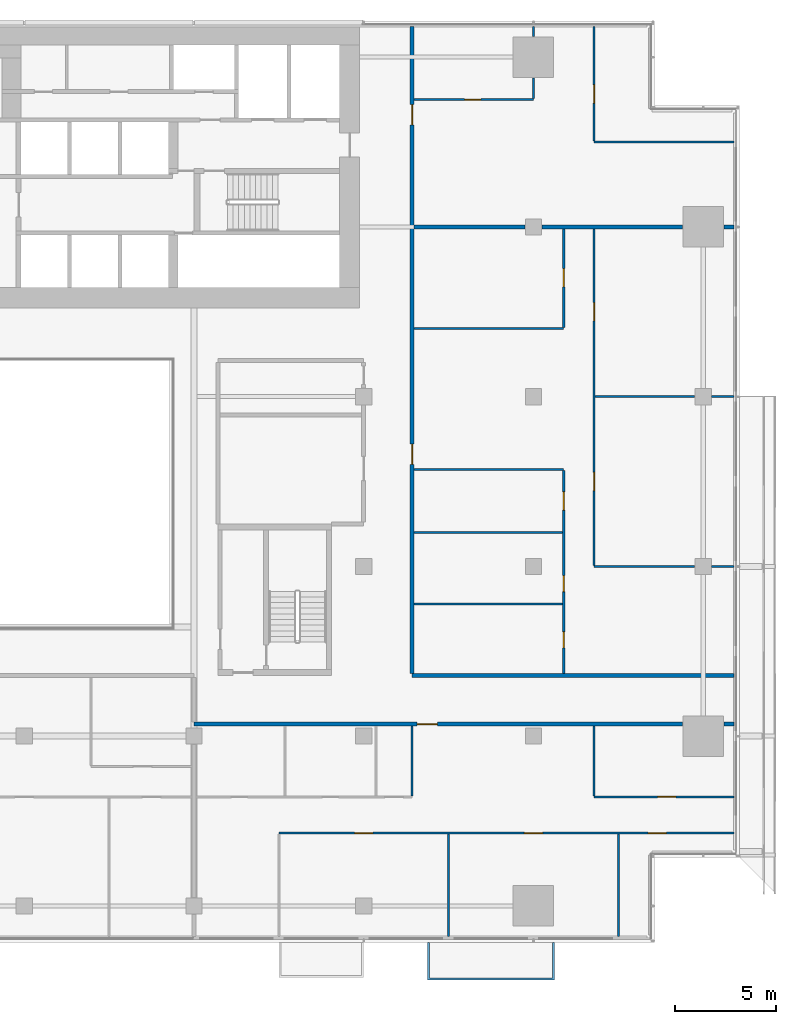
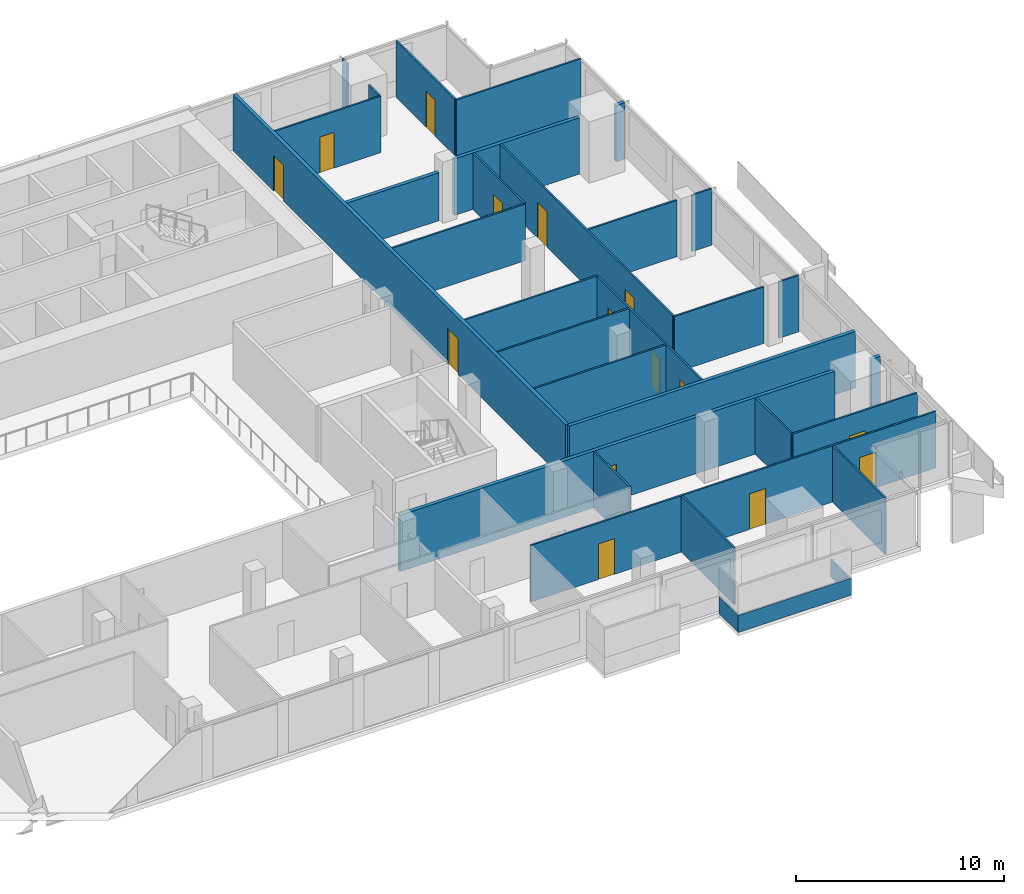
# One storey, part 23 of 27: 30 walls, 15 doors, 15 openings.
"""IFC4 building model written with IfcOpenShell, lengths in metres."""

from ifc_helpers import new_model, si_unit, direction, frame, frame_2d, origin, place, context, subcontext, project, spatial, polyline, rectangle, outline, extrude, material, layer, layer_set, type_object, element, fill, save


model = new_model("IFC4")

# Units and contexts
model_context = context("Model", 3, precision=1e-05, world=origin(), true_north=direction((0.0, 1.0)))
body_context = subcontext(model_context, "Body", "Model", "MODEL_VIEW")
ifc_project = project(units=[si_unit("LENGTHUNIT", "METRE"), si_unit("AREAUNIT", "SQUARE_METRE"), si_unit("VOLUMEUNIT", "CUBIC_METRE"), si_unit("PLANEANGLEUNIT", "RADIAN"), si_unit("MASSUNIT", "GRAM", prefix="KILO")], contexts=[model_context])

# Site, building, storey
site_placement = place(None, origin())
site = spatial("IfcSite", under=ifc_project, at=site_placement, CompositionType="ELEMENT")
building_placement = place(site_placement, origin())
building = spatial("IfcBuilding", under=site, at=building_placement, Name="Saffron Gate Tower", CompositionType="ELEMENT")
storey_placement = place(building_placement, frame((0.0, 0.0, 109.64990234375)))
storey = spatial("IfcBuildingStorey", under=building, at=storey_placement, Name="L25", CompositionType="ELEMENT", Elevation=109.64990234375)

# Wall, openings, doors
ifc_material_1 = material(Name="Plasterboard on steel studs", Category="steel")
ifc_layer_1 = layer(ifc_material_1, 0.10009765625)
ifc_layer_set_1 = layer_set([ifc_layer_1], Name="PW1 Partition 100")
wall_type_1 = type_object("IfcWallType", Name="PW1 Partition 100", PredefinedType="PARTITIONING", material=ifc_layer_set_1)
wall_1_placement = place(storey_placement, frame((126.919921875, 35.39990234375, 0.0), z_axis=(0.0, 0.0, 1.0), x_axis=(-1.0, 0.0, 0.0)))
wall_1 = element("IfcWall", 1, at=wall_1_placement, inside=storey, type_object=wall_type_1, Name="Partition B2-2", PredefinedType="PARTITIONING", context=body_context, shape_type="SweptSolid", body=[
    extrude(rectangle(XDim=22.52001953125, YDim=0.10009765625, at=frame_2d((11.260009765625, 0.0))), origin(), (0.0, 0.0, 1.0), 3.320068359375),
])
opening_1_placement = place(wall_1_placement, frame((3.345703125, 0.0, 0.0)))
opening_1 = element("IfcOpeningElement", 2, at=opening_1_placement, cuts=wall_1, Name="Opening B2-20", PredefinedType="OPENING", context=body_context, shape_type="SweptSolid", body=[
    extrude(rectangle(XDim=0.89990234375, YDim=2.10009765625, at=frame_2d((0.449951171875, 1.050048828125))), frame((0.0, 0.06005859375, 0.0), z_axis=(0.0, -1.0, 0.0), x_axis=(1.0, 0.0, 0.0)), (0.0, 0.0, 1.0), 0.1201171875),
])
opening_2_placement = place(wall_1_placement, frame((9.469970703125, 0.0, 0.0)))
opening_2 = element("IfcOpeningElement", 3, at=opening_2_placement, cuts=wall_1, Name="Opening B2-19", PredefinedType="OPENING", context=body_context, shape_type="SweptSolid", body=[
    extrude(rectangle(XDim=0.89990234375, YDim=2.10009765625, at=frame_2d((0.449951171875, 1.050048828125))), frame((0.0, 0.06005859375, 0.0), z_axis=(0.0, -1.0, 0.0), x_axis=(1.0, 0.0, 0.0)), (0.0, 0.0, 1.0), 0.1201171875),
])
opening_3_placement = place(wall_1_placement, frame((17.8701171875, 0.0, 0.0)))
opening_3 = element("IfcOpeningElement", 4, at=opening_3_placement, cuts=wall_1, Name="Opening B2-18", PredefinedType="OPENING", context=body_context, shape_type="SweptSolid", body=[
    extrude(rectangle(XDim=0.89990234375, YDim=2.10009765625, at=frame_2d((0.449951171875, 1.050048828125))), frame((0.0, 0.06005859375, 0.0), z_axis=(0.0, -1.0, 0.0), x_axis=(1.0, 0.0, 0.0)), (0.0, 0.0, 1.0), 0.1201171875),
])
ifc_material_2 = material(Name="Timber door set", Category="wood")
door_type_1 = type_object("IfcDoorType", Name="RD1 Room door 900x2100", OperationType="NOTDEFINED", PredefinedType="DOOR", material=ifc_material_2)
door_1_placement = place(opening_1_placement, origin())
door_1 = element("IfcDoor", 5, at=door_1_placement, inside=storey, type_object=door_type_1, Name="Door B2-20", OperationType="SINGLE_SWING_RIGHT", OverallHeight=2.10009765625, OverallWidth=0.89990234375, PredefinedType="DOOR", context=body_context, shape_type="SweptSolid", body=[
    extrude(rectangle(XDim=0.89990234375, YDim=2.10009765625, at=frame_2d((0.449951171875, 1.050048828125))), frame((0.0, 0.02490234375, 0.0), z_axis=(0.0, -1.0, 0.0), x_axis=(1.0, 0.0, 0.0)), (0.0, 0.0, 1.0), 0.050048828125),
])
fill(opening_1, door_1)
door_2_placement = place(opening_2_placement, origin())
door_2 = element("IfcDoor", 6, at=door_2_placement, inside=storey, type_object=door_type_1, Name="Door B2-19", OperationType="SINGLE_SWING_RIGHT", OverallHeight=2.10009765625, OverallWidth=0.89990234375, PredefinedType="DOOR", context=body_context, shape_type="SweptSolid", body=[
    extrude(rectangle(XDim=0.89990234375, YDim=2.10009765625, at=frame_2d((0.449951171875, 1.050048828125))), frame((0.0, 0.02490234375, 0.0), z_axis=(0.0, -1.0, 0.0), x_axis=(1.0, 0.0, 0.0)), (0.0, 0.0, 1.0), 0.050048828125),
])
fill(opening_2, door_2)
door_3_placement = place(opening_3_placement, origin())
door_3 = element("IfcDoor", 7, at=door_3_placement, inside=storey, type_object=door_type_1, Name="Door B2-18", OperationType="SINGLE_SWING_RIGHT", OverallHeight=2.10009765625, OverallWidth=0.89990234375, PredefinedType="DOOR", context=body_context, shape_type="SweptSolid", body=[
    extrude(rectangle(XDim=0.89990234375, YDim=2.10009765625, at=frame_2d((0.449951171875, 1.050048828125))), frame((0.0, 0.02490234375, 0.0), z_axis=(0.0, -1.0, 0.0), x_axis=(1.0, 0.0, 0.0)), (0.0, 0.0, 1.0), 0.050048828125),
])
fill(opening_3, door_3)

# Wall, opening, door
wall_2_placement = place(storey_placement, frame((120.0, 37.199951171875, 0.0), z_axis=(0.0, 0.0, 1.0), x_axis=(1.0, 0.0, 0.0)))
wall_2 = element("IfcWall", 8, at=wall_2_placement, inside=storey, type_object=wall_type_1, Name="Partition B2-6", PredefinedType="PARTITIONING", context=body_context, shape_type="SweptSolid", body=[
    extrude(rectangle(XDim=6.919921875, YDim=0.10009765625, at=frame_2d((3.4599609375, 0.0))), origin(), (0.0, 0.0, 1.0), 3.320068359375),
])
opening_4_placement = place(wall_2_placement, frame((3.14990234375, 0.0, 0.0)))
opening_4 = element("IfcOpeningElement", 9, at=opening_4_placement, cuts=wall_2, Name="Opening B2-21", PredefinedType="OPENING", context=body_context, shape_type="SweptSolid", body=[
    extrude(rectangle(XDim=0.89990234375, YDim=2.10009765625, at=frame_2d((0.449951171875, 1.050048828125))), frame((0.0, 0.06005859375, 0.0), z_axis=(0.0, -1.0, 0.0), x_axis=(1.0, 0.0, 0.0)), (0.0, 0.0, 1.0), 0.1201171875),
])
door_4_placement = place(opening_4_placement, origin())
door_4 = element("IfcDoor", 10, at=door_4_placement, inside=storey, type_object=door_type_1, Name="Door B2-21", OperationType="SINGLE_SWING_RIGHT", OverallHeight=2.10009765625, OverallWidth=0.89990234375, PredefinedType="DOOR", context=body_context, shape_type="SweptSolid", body=[
    extrude(rectangle(XDim=0.89990234375, YDim=2.10009765625, at=frame_2d((0.449951171875, 1.050048828125))), frame((0.0, 0.02490234375, 0.0), z_axis=(0.0, -1.0, 0.0), x_axis=(1.0, 0.0, 0.0)), (0.0, 0.0, 1.0), 0.050048828125),
])
fill(opening_4, door_4)

# Walls
wall_3_placement = place(storey_placement, frame((111.10009765625, 46.7333984375, 0.0), z_axis=(0.0, 0.0, 1.0), x_axis=(1.0, 0.0, 0.0)))
element("IfcWall", 11, at=wall_3_placement, inside=storey, type_object=wall_type_1, Name="Partition B2-17", PredefinedType="PARTITIONING", context=body_context, shape_type="SweptSolid", body=[
    extrude(rectangle(XDim=7.349853515625, YDim=0.10009765625, at=frame_2d((3.6748046875, 0.0))), origin(), (0.0, 0.0, 1.0), 3.320068359375),
])
wall_4_placement = place(storey_placement, frame((120.0, 48.60009765625, 0.0), z_axis=(0.0, 0.0, 1.0), x_axis=(1.0, 0.0, 0.0)))
element("IfcWall", 12, at=wall_4_placement, inside=storey, type_object=wall_type_1, Name="Partition B2-21", PredefinedType="PARTITIONING", context=body_context, shape_type="SweptSolid", body=[
    extrude(rectangle(XDim=4.97998046875, YDim=0.10009765625, at=frame_2d((2.489990234375, 0.0))), origin(), (0.0, 0.0, 1.0), 3.320068359375),
])
wall_5_placement = place(storey_placement, frame((125.820068359375, 48.60009765625, 0.0), z_axis=(0.0, 0.0, 1.0), x_axis=(1.0, 0.0, 0.0)))
element("IfcWall", 13, at=wall_5_placement, inside=storey, type_object=wall_type_1, Name="Partition B2-22", PredefinedType="PARTITIONING", context=body_context, shape_type="SweptSolid", body=[
    extrude(rectangle(XDim=1.099853515625, YDim=0.10009765625, at=frame_2d((0.5498046875, 0.0))), origin(), (0.0, 0.0, 1.0), 3.320068359375),
])
wall_6_placement = place(storey_placement, frame((111.10009765625, 50.2666015625, 0.0), z_axis=(0.0, 0.0, 1.0), x_axis=(1.0, 0.0, 0.0)))
element("IfcWall", 14, at=wall_6_placement, inside=storey, type_object=wall_type_1, Name="Partition B2-23", PredefinedType="PARTITIONING", context=body_context, shape_type="SweptSolid", body=[
    extrude(rectangle(XDim=7.349853515625, YDim=0.10009765625, at=frame_2d((3.6748046875, 0.0))), origin(), (0.0, 0.0, 1.0), 3.320068359375),
])
wall_7_placement = place(storey_placement, frame((111.10009765625, 53.39990234375, 0.0), z_axis=(0.0, 0.0, 1.0), x_axis=(1.0, 0.0, 0.0)))
element("IfcWall", 15, at=wall_7_placement, inside=storey, type_object=wall_type_1, Name="Partition B2-26", PredefinedType="PARTITIONING", context=body_context, shape_type="SweptSolid", body=[
    extrude(rectangle(XDim=7.39990234375, YDim=0.10009765625, at=frame_2d((3.699951171875, 0.0))), origin(), (0.0, 0.0, 1.0), 3.320068359375),
])
wall_8_placement = place(storey_placement, frame((120.050048828125, 57.0, 0.0), z_axis=(0.0, 0.0, 1.0), x_axis=(1.0, 0.0, 0.0)))
element("IfcWall", 16, at=wall_8_placement, inside=storey, type_object=wall_type_1, Name="Partition B2-32", PredefinedType="PARTITIONING", context=body_context, shape_type="SweptSolid", body=[
    extrude(rectangle(XDim=4.929931640625, YDim=0.10009765625, at=frame_2d((2.46484375, 0.0))), origin(), (0.0, 0.0, 1.0), 3.320068359375),
])
wall_9_placement = place(storey_placement, frame((125.820068359375, 57.0, 0.0), z_axis=(0.0, 0.0, 1.0), x_axis=(1.0, 0.0, 0.0)))
element("IfcWall", 17, at=wall_9_placement, inside=storey, type_object=wall_type_1, Name="Partition B2-33", PredefinedType="PARTITIONING", context=body_context, shape_type="SweptSolid", body=[
    extrude(rectangle(XDim=1.099853515625, YDim=0.10009765625, at=frame_2d((0.5498046875, 0.0))), origin(), (0.0, 0.0, 1.0), 3.320068359375),
])
wall_10_placement = place(storey_placement, frame((111.10009765625, 60.36669921875, 0.0), z_axis=(0.0, 0.0, 1.0), x_axis=(1.0, 0.0, 0.0)))
element("IfcWall", 18, at=wall_10_placement, inside=storey, type_object=wall_type_1, Name="Partition B2-37", PredefinedType="PARTITIONING", context=body_context, shape_type="SweptSolid", body=[
    extrude(rectangle(XDim=7.39990234375, YDim=0.10009765625, at=frame_2d((3.699951171875, 0.0))), origin(), (0.0, 0.0, 1.0), 3.320068359375),
])
wall_11_placement = place(storey_placement, frame((120.0, 69.60009765625, 0.0), z_axis=(0.0, 0.0, 1.0), x_axis=(1.0, 0.0, 0.0)))
element("IfcWall", 19, at=wall_11_placement, inside=storey, type_object=wall_type_1, Name="Partition B2-47", PredefinedType="PARTITIONING", context=body_context, shape_type="SweptSolid", body=[
    extrude(rectangle(XDim=6.919921875, YDim=0.10009765625, at=frame_2d((3.4599609375, 0.0))), origin(), (0.0, 0.0, 1.0), 3.320068359375),
])

# Wall, opening, door
wall_12_placement = place(storey_placement, frame((111.10009765625, 71.699951171875, 0.0), z_axis=(0.0, 0.0, 1.0), x_axis=(1.0, 0.0, 0.0)))
wall_12 = element("IfcWall", 20, at=wall_12_placement, inside=storey, type_object=wall_type_1, Name="Partition B2-48", PredefinedType="PARTITIONING", context=body_context, shape_type="SweptSolid", body=[
    extrude(rectangle(XDim=5.89990234375, YDim=0.10009765625, at=frame_2d((2.949951171875, 0.0))), origin(), (0.0, 0.0, 1.0), 3.320068359375),
])
opening_5_placement = place(wall_12_placement, frame((2.5, 0.0, 0.0)))
opening_5 = element("IfcOpeningElement", 21, at=opening_5_placement, cuts=wall_12, Name="Opening B2-47", PredefinedType="OPENING", context=body_context, shape_type="SweptSolid", body=[
    extrude(rectangle(XDim=0.800048828125, YDim=2.10009765625, at=frame_2d((0.39990234375, 1.050048828125))), frame((0.0, 0.06005859375, 0.0), z_axis=(0.0, -1.0, 0.0), x_axis=(1.0, 0.0, 0.0)), (0.0, 0.0, 1.0), 0.1201171875),
])
door_type_2 = type_object("IfcDoorType", Name="RD2 Bathroom door 800x2100", OperationType="NOTDEFINED", PredefinedType="DOOR", material=ifc_material_2)
door_5_placement = place(opening_5_placement, origin())
door_5 = element("IfcDoor", 22, at=door_5_placement, inside=storey, type_object=door_type_2, Name="Door B2-47", OperationType="SINGLE_SWING_LEFT", OverallHeight=2.10009765625, OverallWidth=0.800048828125, PredefinedType="DOOR", context=body_context, shape_type="SweptSolid", body=[
    extrude(rectangle(XDim=0.800048828125, YDim=2.10009765625, at=frame_2d((0.39990234375, 1.050048828125))), frame((0.0, 0.02490234375, 0.0), z_axis=(0.0, -1.0, 0.0), x_axis=(1.0, 0.0, 0.0)), (0.0, 0.0, 1.0), 0.050048828125),
])
fill(opening_5, door_5)

# Walls
wall_13_placement = place(storey_placement, frame((111.0, 40.699951171875, 0.0), z_axis=(0.0, 0.0, 1.0), x_axis=(0.0, -1.0, 0.0)))
element("IfcWall", 23, at=wall_13_placement, inside=storey, type_object=wall_type_1, Name="Partition B2-90", PredefinedType="PARTITIONING", context=body_context, shape_type="SweptSolid", body=[
    extrude(rectangle(XDim=3.449951171875, YDim=0.10009765625, at=frame_2d((1.72509765625, 0.0))), origin(), (0.0, 0.0, 1.0), 3.320068359375),
])
wall_14_placement = place(storey_placement, frame((112.800048828125, 35.35009765625, 0.0), z_axis=(0.0, 0.0, 1.0), x_axis=(0.0, -1.0, 0.0)))
element("IfcWall", 24, at=wall_14_placement, inside=storey, type_object=wall_type_1, Name="Partition B2-91", PredefinedType="PARTITIONING", context=body_context, shape_type="SweptSolid", body=[
    extrude(rectangle(XDim=5.070068359375, YDim=0.10009765625, at=frame_2d((2.53515625, 0.0))), origin(), (0.0, 0.0, 1.0), 3.320068359375),
])
wall_15_placement = place(storey_placement, frame((117.0, 72.780029296875, 0.0), z_axis=(0.0, 0.0, 1.0), x_axis=(0.0, -1.0, 0.0)))
element("IfcWall", 25, at=wall_15_placement, inside=storey, type_object=wall_type_1, Name="Partition B2-92", PredefinedType="PARTITIONING", context=body_context, shape_type="SweptSolid", body=[
    extrude(rectangle(XDim=1.030029296875, YDim=0.10009765625, at=frame_2d((0.51513671875, 0.0))), origin(), (0.0, 0.0, 1.0), 3.320068359375),
])
wall_16_placement = place(storey_placement, frame((117.0, 75.320068359375, 0.0), z_axis=(0.0, 0.0, 1.0), x_axis=(0.0, -1.0, 0.0)))
element("IfcWall", 26, at=wall_16_placement, inside=storey, type_object=wall_type_1, Name="Partition B2-93", PredefinedType="PARTITIONING", context=body_context, shape_type="SweptSolid", body=[
    extrude(rectangle(XDim=0.5, YDim=0.10009765625, at=frame_2d((0.25, 0.0))), origin(), (0.0, 0.0, 1.0), 3.320068359375),
])

# Wall, openings, doors
wall_17_placement = place(storey_placement, frame((118.5, 43.300048828125, 0.0), z_axis=(0.0, 0.0, 1.0), x_axis=(0.0, 1.0, 0.0)))
wall_17 = element("IfcWall", 27, at=wall_17_placement, inside=storey, type_object=wall_type_1, Name="Partition B2-94", PredefinedType="PARTITIONING", context=body_context, shape_type="SweptSolid", body=[
    extrude(rectangle(XDim=10.050048828125, YDim=0.10009765625, at=frame_2d((5.02490234375, 0.0))), origin(), (0.0, 0.0, 1.0), 3.320068359375),
])
opening_6_placement = place(wall_17_placement, frame((1.2666015625, 0.0, 0.0)))
opening_6 = element("IfcOpeningElement", 28, at=opening_6_placement, cuts=wall_17, Name="Opening B2-45", PredefinedType="OPENING", context=body_context, shape_type="SweptSolid", body=[
    extrude(rectangle(XDim=0.800048828125, YDim=2.10009765625, at=frame_2d((0.39990234375, 1.050048828125))), frame((0.0, 0.06005859375, 0.0), z_axis=(0.0, -1.0, 0.0), x_axis=(1.0, 0.0, 0.0)), (0.0, 0.0, 1.0), 0.1201171875),
])
opening_7_placement = place(wall_17_placement, frame((4.050048828125, 0.0, 0.0)))
opening_7 = element("IfcOpeningElement", 29, at=opening_7_placement, cuts=wall_17, Name="Opening B2-46", PredefinedType="OPENING", context=body_context, shape_type="SweptSolid", body=[
    extrude(rectangle(XDim=0.800048828125, YDim=2.10009765625, at=frame_2d((0.39990234375, 1.050048828125))), frame((0.0, 0.06005859375, 0.0), z_axis=(0.0, -1.0, 0.0), x_axis=(1.0, 0.0, 0.0)), (0.0, 0.0, 1.0), 0.1201171875),
])
opening_8_placement = place(wall_17_placement, frame((8.083251953125, 0.0, 0.0)))
opening_8 = element("IfcOpeningElement", 30, at=opening_8_placement, cuts=wall_17, Name="Opening B2-33", PredefinedType="OPENING", context=body_context, shape_type="SweptSolid", body=[
    extrude(rectangle(XDim=0.89990234375, YDim=2.10009765625, at=frame_2d((0.449951171875, 1.050048828125))), frame((0.0, 0.06005859375, 0.0), z_axis=(0.0, -1.0, 0.0), x_axis=(1.0, 0.0, 0.0)), (0.0, 0.0, 1.0), 0.1201171875),
])
door_6_placement = place(opening_8_placement, origin())
door_6 = element("IfcDoor", 31, at=door_6_placement, inside=storey, type_object=door_type_1, Name="Door B2-33", OperationType="SINGLE_SWING_RIGHT", OverallHeight=2.10009765625, OverallWidth=0.89990234375, PredefinedType="DOOR", context=body_context, shape_type="SweptSolid", body=[
    extrude(rectangle(XDim=0.89990234375, YDim=2.10009765625, at=frame_2d((0.449951171875, 1.050048828125))), frame((0.0, 0.02490234375, 0.0), z_axis=(0.0, -1.0, 0.0), x_axis=(1.0, 0.0, 0.0)), (0.0, 0.0, 1.0), 0.050048828125),
])
fill(opening_8, door_6)
door_7_placement = place(opening_6_placement, origin())
door_7 = element("IfcDoor", 32, at=door_7_placement, inside=storey, type_object=door_type_2, Name="Door B2-45", OperationType="SINGLE_SWING_LEFT", OverallHeight=2.10009765625, OverallWidth=0.800048828125, PredefinedType="DOOR", context=body_context, shape_type="SweptSolid", body=[
    extrude(rectangle(XDim=0.800048828125, YDim=2.10009765625, at=frame_2d((0.39990234375, 1.050048828125))), frame((0.0, 0.02490234375, 0.0), z_axis=(0.0, -1.0, 0.0), x_axis=(1.0, 0.0, 0.0)), (0.0, 0.0, 1.0), 0.050048828125),
])
fill(opening_6, door_7)
door_8_placement = place(opening_7_placement, origin())
door_8 = element("IfcDoor", 33, at=door_8_placement, inside=storey, type_object=door_type_2, Name="Door B2-46", OperationType="SINGLE_SWING_LEFT", OverallHeight=2.10009765625, OverallWidth=0.800048828125, PredefinedType="DOOR", context=body_context, shape_type="SweptSolid", body=[
    extrude(rectangle(XDim=0.800048828125, YDim=2.10009765625, at=frame_2d((0.39990234375, 1.050048828125))), frame((0.0, 0.02490234375, 0.0), z_axis=(0.0, -1.0, 0.0), x_axis=(1.0, 0.0, 0.0)), (0.0, 0.0, 1.0), 0.050048828125),
])
fill(opening_7, door_8)

# Wall, opening, door
wall_18_placement = place(storey_placement, frame((118.5, 60.416748046875, 0.0), z_axis=(0.0, 0.0, 1.0), x_axis=(0.0, 1.0, 0.0)))
wall_18 = element("IfcWall", 34, at=wall_18_placement, inside=storey, type_object=wall_type_1, Name="Partition B2-95", PredefinedType="PARTITIONING", context=body_context, shape_type="SweptSolid", body=[
    extrude(rectangle(XDim=4.88330078125, YDim=0.10009765625, at=frame_2d((2.441650390625, 0.0))), origin(), (0.0, 0.0, 1.0), 3.320068359375),
])
opening_9_placement = place(wall_18_placement, frame((2.0166015625, 0.0, 0.0)))
opening_9 = element("IfcOpeningElement", 35, at=opening_9_placement, cuts=wall_18, Name="Opening B2-32", PredefinedType="OPENING", context=body_context, shape_type="SweptSolid", body=[
    extrude(rectangle(XDim=0.89990234375, YDim=2.10009765625, at=frame_2d((0.449951171875, 1.050048828125))), frame((0.0, 0.06005859375, 0.0), z_axis=(0.0, -1.0, 0.0), x_axis=(1.0, 0.0, 0.0)), (0.0, 0.0, 1.0), 0.1201171875),
])
door_9_placement = place(opening_9_placement, origin())
door_9 = element("IfcDoor", 36, at=door_9_placement, inside=storey, type_object=door_type_1, Name="Door B2-32", OperationType="SINGLE_SWING_RIGHT", OverallHeight=2.10009765625, OverallWidth=0.89990234375, PredefinedType="DOOR", context=body_context, shape_type="SweptSolid", body=[
    extrude(rectangle(XDim=0.89990234375, YDim=2.10009765625, at=frame_2d((0.449951171875, 1.050048828125))), frame((0.0, 0.02490234375, 0.0), z_axis=(0.0, -1.0, 0.0), x_axis=(1.0, 0.0, 0.0)), (0.0, 0.0, 1.0), 0.050048828125),
])
fill(opening_9, door_9)

# Wall
wall_19_placement = place(storey_placement, frame((120.0, 40.699951171875, 0.0), z_axis=(0.0, 0.0, 1.0), x_axis=(0.0, -1.0, 0.0)))
element("IfcWall", 37, at=wall_19_placement, inside=storey, type_object=wall_type_1, Name="Partition B2-96", PredefinedType="PARTITIONING", context=body_context, shape_type="SweptSolid", body=[
    extrude(rectangle(XDim=3.449951171875, YDim=0.10009765625, at=frame_2d((1.72509765625, 0.0))), origin(), (0.0, 0.0, 1.0), 3.320068359375),
])

# Wall, openings, doors
wall_20_placement = place(storey_placement, frame((120.0, 65.300048828125, 0.0), z_axis=(0.0, 0.0, 1.0), x_axis=(0.0, -1.0, 0.0)))
wall_20 = element("IfcWall", 38, at=wall_20_placement, inside=storey, type_object=wall_type_1, Name="Partition B2-97", PredefinedType="PARTITIONING", context=body_context, shape_type="SweptSolid", body=[
    extrude(rectangle(XDim=16.650146484375, YDim=0.10009765625, at=frame_2d((8.3251953125, 0.0))), origin(), (0.0, 0.0, 1.0), 3.320068359375),
])
opening_10_placement = place(wall_20_placement, frame((3.64990234375, 0.0, 0.0)))
opening_10 = element("IfcOpeningElement", 39, at=opening_10_placement, cuts=wall_20, Name="Opening B2-31", PredefinedType="OPENING", context=body_context, shape_type="SweptSolid", body=[
    extrude(rectangle(XDim=0.89990234375, YDim=2.10009765625, at=frame_2d((0.449951171875, 1.050048828125))), frame((0.0, 0.06005859375, 0.0), z_axis=(0.0, -1.0, 0.0), x_axis=(1.0, 0.0, 0.0)), (0.0, 0.0, 1.0), 0.1201171875),
])
opening_11_placement = place(wall_20_placement, frame((12.050048828125, 0.0, 0.0)))
opening_11 = element("IfcOpeningElement", 40, at=opening_11_placement, cuts=wall_20, Name="Opening B2-30", PredefinedType="OPENING", context=body_context, shape_type="SweptSolid", body=[
    extrude(rectangle(XDim=0.89990234375, YDim=2.10009765625, at=frame_2d((0.449951171875, 1.050048828125))), frame((0.0, 0.06005859375, 0.0), z_axis=(0.0, -1.0, 0.0), x_axis=(1.0, 0.0, 0.0)), (0.0, 0.0, 1.0), 0.1201171875),
])
door_10_placement = place(opening_10_placement, origin())
door_10 = element("IfcDoor", 41, at=door_10_placement, inside=storey, type_object=door_type_1, Name="Door B2-31", OperationType="SINGLE_SWING_LEFT", OverallHeight=2.10009765625, OverallWidth=0.89990234375, PredefinedType="DOOR", context=body_context, shape_type="SweptSolid", body=[
    extrude(rectangle(XDim=0.89990234375, YDim=2.10009765625, at=frame_2d((0.449951171875, 1.050048828125))), frame((0.0, 0.02490234375, 0.0), z_axis=(0.0, -1.0, 0.0), x_axis=(1.0, 0.0, 0.0)), (0.0, 0.0, 1.0), 0.050048828125),
])
fill(opening_10, door_10)
door_11_placement = place(opening_11_placement, origin())
door_11 = element("IfcDoor", 42, at=door_11_placement, inside=storey, type_object=door_type_1, Name="Door B2-30", OperationType="SINGLE_SWING_RIGHT", OverallHeight=2.10009765625, OverallWidth=0.89990234375, PredefinedType="DOOR", context=body_context, shape_type="SweptSolid", body=[
    extrude(rectangle(XDim=0.89990234375, YDim=2.10009765625, at=frame_2d((0.449951171875, 1.050048828125))), frame((0.0, 0.02490234375, 0.0), z_axis=(0.0, -1.0, 0.0), x_axis=(1.0, 0.0, 0.0)), (0.0, 0.0, 1.0), 0.050048828125),
])
fill(opening_11, door_11)

# Wall, opening, door
wall_21_placement = place(storey_placement, frame((120.0, 75.320068359375, 0.0), z_axis=(0.0, 0.0, 1.0), x_axis=(0.0, -1.0, 0.0)))
wall_21 = element("IfcWall", 43, at=wall_21_placement, inside=storey, type_object=wall_type_1, Name="Partition B2-98", PredefinedType="PARTITIONING", context=body_context, shape_type="SweptSolid", body=[
    extrude(rectangle(XDim=5.670166015625, YDim=0.10009765625, at=frame_2d((2.8349609375, 0.0))), origin(), (0.0, 0.0, 1.0), 3.320068359375),
])
opening_12_placement = place(wall_21_placement, frame((2.89111328125, 0.0, 0.0)))
opening_12 = element("IfcOpeningElement", 44, at=opening_12_placement, cuts=wall_21, Name="Opening B2-34", PredefinedType="OPENING", context=body_context, shape_type="SweptSolid", body=[
    extrude(rectangle(XDim=0.89990234375, YDim=2.10009765625, at=frame_2d((0.449951171875, 1.050048828125))), frame((0.0, 0.06005859375, 0.0), z_axis=(0.0, -1.0, 0.0), x_axis=(1.0, 0.0, 0.0)), (0.0, 0.0, 1.0), 0.1201171875),
])
door_12_placement = place(opening_12_placement, origin())
door_12 = element("IfcDoor", 45, at=door_12_placement, inside=storey, type_object=door_type_1, Name="Door B2-34", OperationType="SINGLE_SWING_RIGHT", OverallHeight=2.10009765625, OverallWidth=0.89990234375, PredefinedType="DOOR", context=body_context, shape_type="SweptSolid", body=[
    extrude(rectangle(XDim=0.89990234375, YDim=2.10009765625, at=frame_2d((0.449951171875, 1.050048828125))), frame((0.0, 0.02490234375, 0.0), z_axis=(0.0, -1.0, 0.0), x_axis=(1.0, 0.0, 0.0)), (0.0, 0.0, 1.0), 0.050048828125),
])
fill(opening_12, door_12)

# Walls
wall_22_placement = place(storey_placement, frame((121.199951171875, 35.35009765625, 0.0), z_axis=(0.0, 0.0, 1.0), x_axis=(0.0, -1.0, 0.0)))
element("IfcWall", 46, at=wall_22_placement, inside=storey, type_object=wall_type_1, Name="Partition B2-99", PredefinedType="PARTITIONING", context=body_context, shape_type="SweptSolid", body=[
    extrude(rectangle(XDim=5.070068359375, YDim=0.10009765625, at=frame_2d((2.53515625, 0.0))), origin(), (0.0, 0.0, 1.0), 3.320068359375),
])
ifc_material_3 = material(Name="Clay brick masonry, rendered", Category="masonry")
ifc_layer_2 = layer(ifc_material_3, 0.199951171875)
ifc_layer_set_2 = layer_set([ifc_layer_2], Name="PW2 Demising wall 200")
wall_type_2 = type_object("IfcWallType", Name="PW2 Demising wall 200", PredefinedType="PARTITIONING", material=ifc_layer_set_2)
wall_23_placement = place(storey_placement, frame((111.10009765625, 65.39990234375, 0.0), z_axis=(0.0, 0.0, 1.0), x_axis=(1.0, 0.0, 0.0)))
element("IfcWall", 47, at=wall_23_placement, inside=storey, type_object=wall_type_2, Name="Wall B2-40", PredefinedType="PARTITIONING", context=body_context, shape_type="SweptSolid", body=[
    extrude(rectangle(XDim=5.47998046875, YDim=0.199951171875, at=frame_2d((2.739990234375, 0.0))), origin(), (0.0, 0.0, 1.0), 2.820068359375),
])
wall_24_placement = place(storey_placement, frame((117.419921875, 65.39990234375, 0.0), z_axis=(0.0, 0.0, 1.0), x_axis=(1.0, 0.0, 0.0)))
element("IfcWall", 48, at=wall_24_placement, inside=storey, type_object=wall_type_2, Name="Wall B2-41", PredefinedType="PARTITIONING", context=body_context, shape_type="SweptSolid", body=[
    extrude(rectangle(XDim=6.9599609375, YDim=0.199951171875, at=frame_2d((3.47998046875, 0.0))), origin(), (0.0, 0.0, 1.0), 3.320068359375),
])
wall_25_placement = place(storey_placement, frame((126.419921875, 65.39990234375, 0.0), z_axis=(0.0, 0.0, 1.0), x_axis=(1.0, 0.0, 0.0)))
element("IfcWall", 49, at=wall_25_placement, inside=storey, type_object=wall_type_2, Name="Wall B2-42", PredefinedType="PARTITIONING", context=body_context, shape_type="SweptSolid", body=[
    extrude(rectangle(XDim=0.5, YDim=0.199951171875, at=frame_2d((0.25, 0.0))), origin(), (0.0, 0.0, 1.0), 3.320068359375),
])

# Wall, opening, door
ifc_layer_3 = layer(ifc_material_3, 0.199951171875)
ifc_layer_set_3 = layer_set([ifc_layer_3], Name="PW3 Corridor wall 200")
wall_type_3 = type_object("IfcWallType", Name="PW3 Corridor wall 200", PredefinedType="PARTITIONING", material=ifc_layer_set_3)
wall_26_placement = place(storey_placement, frame((124.3798828125, 40.800048828125, 0.0), z_axis=(0.0, 0.0, 1.0), x_axis=(-1.0, 0.0, 0.0)))
wall_26 = element("IfcWall", 50, at=wall_26_placement, inside=storey, type_object=wall_type_3, Name="Wall B2-11", PredefinedType="PARTITIONING", context=body_context, shape_type="SweptSolid", body=[
    extrude(rectangle(XDim=24.179931640625, YDim=0.199951171875, at=frame_2d((12.08984375, 0.0))), origin(), (0.0, 0.0, 1.0), 3.320068359375),
])
opening_13_placement = place(wall_26_placement, frame((12.1298828125, 0.0, 0.0)))
opening_13 = element("IfcOpeningElement", 51, at=opening_13_placement, cuts=wall_26, Name="Opening B2-3", PredefinedType="OPENING", context=body_context, shape_type="SweptSolid", body=[
    extrude(rectangle(XDim=1.0, YDim=2.10009765625, at=frame_2d((0.5, 1.050048828125))), frame((0.0, 0.10986328125, 0.0), z_axis=(0.0, -1.0, 0.0), x_axis=(1.0, 0.0, 0.0)), (0.0, 0.0, 1.0), 0.219970703125),
])
ifc_material_4 = material(Name="Timber fire door set", Category="wood")
door_type_3 = type_object("IfcDoorType", Name="FD1 Flat entry door 1000x2100", OperationType="NOTDEFINED", PredefinedType="DOOR", material=ifc_material_4)
door_13_placement = place(opening_13_placement, origin())
door_13 = element("IfcDoor", 52, at=door_13_placement, inside=storey, type_object=door_type_3, Name="Door B2-3", OperationType="SINGLE_SWING_RIGHT", OverallHeight=2.10009765625, OverallWidth=1.0, PredefinedType="DOOR", context=body_context, shape_type="SweptSolid", body=[
    extrude(rectangle(XDim=1.0, YDim=2.10009765625, at=frame_2d((0.5, 1.050048828125))), frame((0.0, 0.02490234375, 0.0), z_axis=(0.0, -1.0, 0.0), x_axis=(1.0, 0.0, 0.0)), (0.0, 0.0, 1.0), 0.050048828125),
])
fill(opening_13, door_13)

# Walls
wall_27_placement = place(storey_placement, frame((126.419921875, 40.800048828125, 0.0), z_axis=(0.0, 0.0, 1.0), x_axis=(1.0, 0.0, 0.0)))
element("IfcWall", 53, at=wall_27_placement, inside=storey, type_object=wall_type_3, Name="Wall B2-12", PredefinedType="PARTITIONING", context=body_context, shape_type="SweptSolid", body=[
    extrude(rectangle(XDim=0.5, YDim=0.199951171875, at=frame_2d((0.25, 0.0))), origin(), (0.0, 0.0, 1.0), 3.320068359375),
])
wall_28_placement = place(storey_placement, frame((111.0, 43.199951171875, 0.0), z_axis=(0.0, 0.0, 1.0), x_axis=(1.0, 0.0, 0.0)))
element("IfcWall", 54, at=wall_28_placement, inside=storey, type_object=wall_type_3, Name="Wall B2-15", PredefinedType="PARTITIONING", context=body_context, shape_type="SweptSolid", body=[
    extrude(rectangle(XDim=15.919921875, YDim=0.199951171875, at=frame_2d((7.9599609375, 0.0))), origin(), (0.0, 0.0, 1.0), 3.320068359375),
])

# Wall, openings, doors
wall_29_placement = place(storey_placement, frame((111.0, 75.320068359375, 0.0), z_axis=(0.0, 0.0, 1.0), x_axis=(0.0, -1.0, 0.0)))
wall_29 = element("IfcWall", 55, at=wall_29_placement, inside=storey, type_object=wall_type_3, Name="Wall B2-89", PredefinedType="PARTITIONING", context=body_context, shape_type="SweptSolid", body=[
    extrude(rectangle(XDim=32.02001953125, YDim=0.199951171875, at=frame_2d((16.010009765625, 0.0))), origin(), (0.0, 0.0, 1.0), 3.320068359375),
])
opening_14_placement = place(wall_29_placement, frame((3.8701171875, 0.0, 0.0)))
opening_14 = element("IfcOpeningElement", 56, at=opening_14_placement, cuts=wall_29, Name="Opening B2-7", PredefinedType="OPENING", context=body_context, shape_type="SweptSolid", body=[
    extrude(rectangle(XDim=1.0, YDim=2.10009765625, at=frame_2d((0.5, 1.050048828125))), frame((0.0, 0.10986328125, 0.0), z_axis=(0.0, -1.0, 0.0), x_axis=(1.0, 0.0, 0.0)), (0.0, 0.0, 1.0), 0.219970703125),
])
opening_15_placement = place(wall_29_placement, frame((20.669921875, 0.0, 0.0)))
opening_15 = element("IfcOpeningElement", 57, at=opening_15_placement, cuts=wall_29, Name="Opening B2-6", PredefinedType="OPENING", context=body_context, shape_type="SweptSolid", body=[
    extrude(rectangle(XDim=1.0, YDim=2.10009765625, at=frame_2d((0.5, 1.050048828125))), frame((0.0, 0.10986328125, 0.0), z_axis=(0.0, -1.0, 0.0), x_axis=(1.0, 0.0, 0.0)), (0.0, 0.0, 1.0), 0.219970703125),
])
door_14_placement = place(opening_14_placement, origin())
door_14 = element("IfcDoor", 58, at=door_14_placement, inside=storey, type_object=door_type_3, Name="Door B2-7", OperationType="SINGLE_SWING_RIGHT", OverallHeight=2.10009765625, OverallWidth=1.0, PredefinedType="DOOR", context=body_context, shape_type="SweptSolid", body=[
    extrude(rectangle(XDim=1.0, YDim=2.10009765625, at=frame_2d((0.5, 1.050048828125))), frame((0.0, 0.02490234375, 0.0), z_axis=(0.0, -1.0, 0.0), x_axis=(1.0, 0.0, 0.0)), (0.0, 0.0, 1.0), 0.050048828125),
])
fill(opening_14, door_14)
door_15_placement = place(opening_15_placement, origin())
door_15 = element("IfcDoor", 59, at=door_15_placement, inside=storey, type_object=door_type_3, Name="Door B2-6", OperationType="SINGLE_SWING_LEFT", OverallHeight=2.10009765625, OverallWidth=1.0, PredefinedType="DOOR", context=body_context, shape_type="SweptSolid", body=[
    extrude(rectangle(XDim=1.0, YDim=2.10009765625, at=frame_2d((0.5, 1.050048828125))), frame((0.0, 0.02490234375, 0.0), z_axis=(0.0, -1.0, 0.0), x_axis=(1.0, 0.0, 0.0)), (0.0, 0.0, 1.0), 0.050048828125),
])
fill(opening_15, door_15)

# Wall
ifc_material_5 = material(Name="Rendered insulated panel, white")
ifc_layer_4 = layer(ifc_material_5, 0.10009765625)
ifc_layer_set_4 = layer_set([ifc_layer_4], Name="WB3 box parapet white")
wall_type_4 = type_object("IfcWallType", Name="WB3 box parapet white", PredefinedType="SOLIDWALL", material=ifc_layer_set_4)
wall_30_placement = place(storey_placement, origin())
element("IfcWall", 60, at=wall_30_placement, inside=storey, type_object=wall_type_4, Name="WINDOW BOX parapet", PredefinedType="SOLIDWALL", context=body_context, shape_type="SweptSolid", body=[
    extrude(outline(polyline([(111.75, 30.0), (111.85009765625, 30.0), (111.85009765625, 28.23291015625), (117.949951171875, 28.23291015625), (117.949951171875, 30.0), (118.050048828125, 30.0), (118.050048828125, 28.133056640625), (111.75, 28.133056640625), (111.75, 30.0)])), origin(), (0.0, 0.0, 1.0), 1.0),
])

save(model, "model.ifc")
